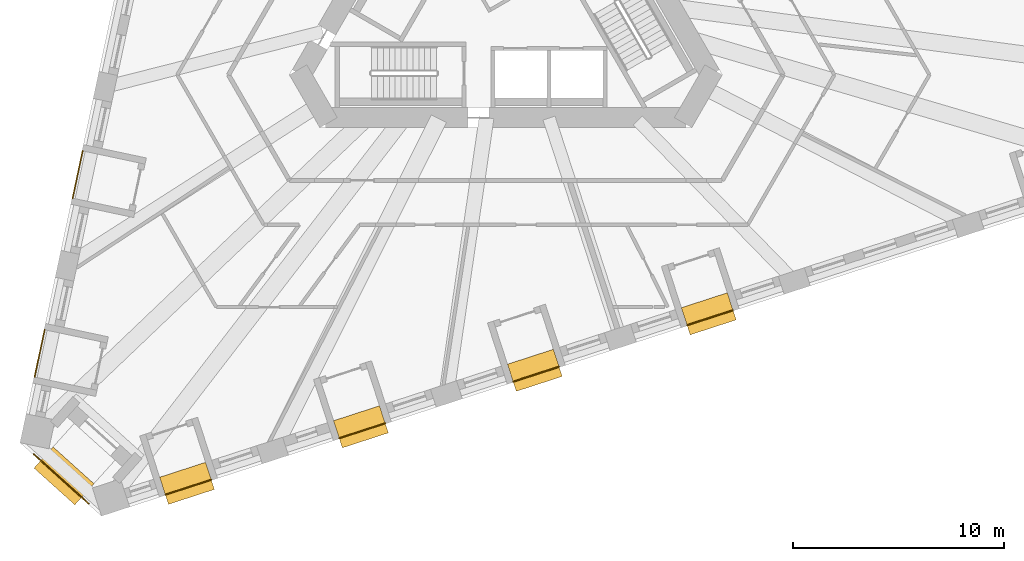
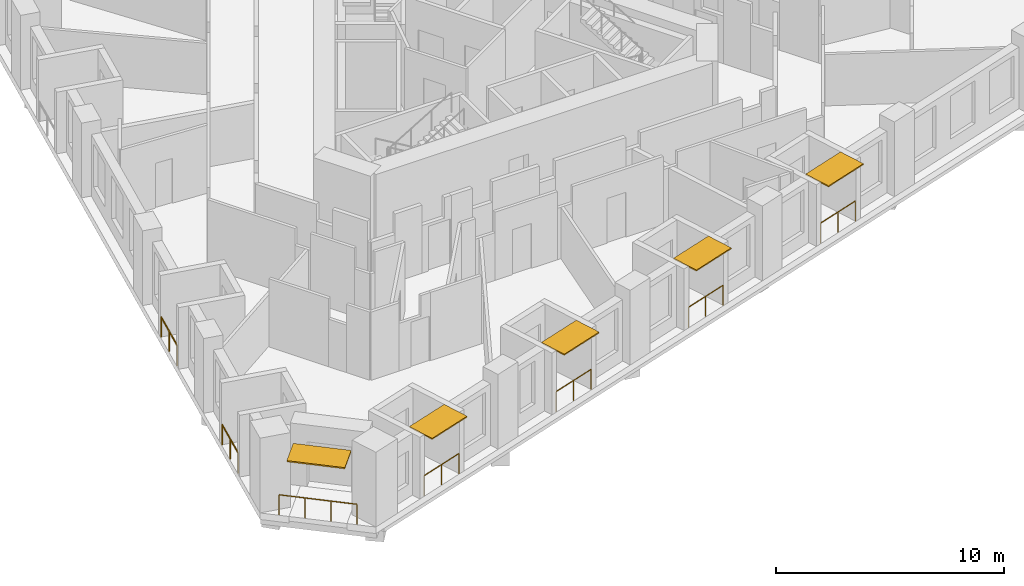
# One storey, part 10 of 12: 7 railings, 5 shading devices.
"""IFC4 building model written with IfcOpenShell, lengths in metres."""

from ifc_helpers import new_model, si_unit, direction, frame, origin, origin_2d, place, context, subcontext, project, spatial, rectangle, circle, extrude, material, layer, layer_set, type_object, element, save


model = new_model("IFC4")

# Units and contexts
model_context = context("Model", 3, precision=1e-05, world=origin(), true_north=direction((0.0, 1.0)))
body_context = subcontext(model_context, "Body", "Model", "MODEL_VIEW")
ifc_project = project(units=[si_unit("LENGTHUNIT", "METRE"), si_unit("AREAUNIT", "SQUARE_METRE"), si_unit("VOLUMEUNIT", "CUBIC_METRE"), si_unit("PLANEANGLEUNIT", "RADIAN"), si_unit("MASSUNIT", "GRAM", prefix="KILO")], contexts=[model_context])

# Site, building, storey
site_placement = place(None, origin())
site = spatial("IfcSite", under=ifc_project, at=site_placement, CompositionType="ELEMENT")
building_placement = place(site_placement, origin())
building = spatial("IfcBuilding", under=site, at=building_placement, Name="Tramontana Tower", CompositionType="ELEMENT")
storey_placement = place(building_placement, frame((0.0, 0.0, 96.39990234375)))
storey = spatial("IfcBuildingStorey", under=building, at=storey_placement, Name="L21", CompositionType="ELEMENT", Elevation=96.39990234375)

# Railings
ifc_material_1 = material(Name="Laminated glass balustrade", Category="glass")
railing_type = type_object("IfcRailingType", Name="GD1 Loggia glass balustrade 1100", PredefinedType="BALUSTRADE", material=ifc_material_1)
railing_1_placement = place(storey_placement, frame((-20.04052734375, -7.85205078125, 0.0)))
element("IfcRailing", 1, at=railing_1_placement, inside=storey, type_object=railing_type, Name="Loggia balustrade L21 G2S0.13", PredefinedType="BALUSTRADE", context=body_context, shape_type="SweptSolid", body=[
    extrude(circle(Radius=0.02392578125, at=origin_2d()), frame((0.0, 0.0, 1.076171875), z_axis=(-0.207888126836, -0.978152609116, 0.0), x_axis=(0.978152609116, -0.207888126836, 0.0)), (0.0, 0.0, 1.0), 2.28662109375),
    extrude(circle(Radius=0.02099609375, at=origin_2d()), origin(), (0.0, 0.0, 1.0), 1.052001953125),
    extrude(circle(Radius=0.02099609375, at=origin_2d()), frame((-0.23779296875, -1.1181640625, 0.0)), (0.0, 0.0, 1.0), 1.052001953125),
    extrude(circle(Radius=0.02099609375, at=origin_2d()), frame((-0.475341796875, -2.236572265625, 0.0)), (0.0, 0.0, 1.0), 1.052001953125),
])
railing_2_placement = place(storey_placement, frame((-21.841064453125, -16.322998046875, 0.0)))
element("IfcRailing", 2, at=railing_2_placement, inside=storey, type_object=railing_type, Name="Loggia balustrade L21 G2S0.16", PredefinedType="BALUSTRADE", context=body_context, shape_type="SweptSolid", body=[
    extrude(circle(Radius=0.02392578125, at=origin_2d()), frame((0.0, 0.0, 1.076171875), z_axis=(-0.207866417042, -0.978157222877, 0.0), x_axis=(0.978157222877, -0.207866417042, 0.0)), (0.0, 0.0, 1.0), 2.286865234375),
    extrude(circle(Radius=0.02099609375, at=origin_2d()), origin(), (0.0, 0.0, 1.0), 1.052001953125),
    extrude(circle(Radius=0.02099609375, at=origin_2d()), frame((-0.23779296875, -1.118408203125, 0.0)), (0.0, 0.0, 1.0), 1.052001953125),
    extrude(circle(Radius=0.02099609375, at=origin_2d()), frame((-0.475341796875, -2.23681640625, 0.0)), (0.0, 0.0, 1.0), 1.052001953125),
])
railing_3_placement = place(storey_placement, frame((-16.125244140625, -24.13427734375, 0.0)))
element("IfcRailing", 3, at=railing_3_placement, inside=storey, type_object=railing_type, Name="Loggia balustrade L21 G2S1.1", PredefinedType="BALUSTRADE", context=body_context, shape_type="SweptSolid", body=[
    extrude(circle(Radius=0.02392578125, at=origin_2d()), frame((0.0, 0.0, 1.076171875), z_axis=(0.95103720697, 0.309076416051, 0.0), x_axis=(-0.309076416051, 0.95103720697, 0.0)), (0.0, 0.0, 1.0), 2.286865234375),
    extrude(circle(Radius=0.02099609375, at=origin_2d()), origin(), (0.0, 0.0, 1.0), 1.052001953125),
    extrude(circle(Radius=0.02099609375, at=origin_2d()), frame((1.08740234375, 0.353515625, 0.0)), (0.0, 0.0, 1.0), 1.052001953125),
    extrude(circle(Radius=0.02099609375, at=origin_2d()), frame((2.1748046875, 0.706787109375, 0.0)), (0.0, 0.0, 1.0), 1.052001953125),
])
railing_4_placement = place(storey_placement, frame((-7.888916015625, -21.4580078125, 0.0)))
element("IfcRailing", 4, at=railing_4_placement, inside=storey, type_object=railing_type, Name="Loggia balustrade L21 G2S1.4", PredefinedType="BALUSTRADE", context=body_context, shape_type="SweptSolid", body=[
    extrude(circle(Radius=0.02392578125, at=origin_2d()), frame((0.0, 0.0, 1.076171875), z_axis=(0.951068585107, 0.308979847923, 0.0), x_axis=(-0.308979847923, 0.951068585107, 0.0)), (0.0, 0.0, 1.0), 2.28662109375),
    extrude(circle(Radius=0.02099609375, at=origin_2d()), origin(), (0.0, 0.0, 1.0), 1.052001953125),
    extrude(circle(Radius=0.02099609375, at=origin_2d()), frame((1.08740234375, 0.353271484375, 0.0)), (0.0, 0.0, 1.0), 1.052001953125),
    extrude(circle(Radius=0.02099609375, at=origin_2d()), frame((2.1748046875, 0.70654296875, 0.0)), (0.0, 0.0, 1.0), 1.052001953125),
])
railing_5_placement = place(storey_placement, frame((0.347412109375, -18.781982421875, 0.0)))
element("IfcRailing", 5, at=railing_5_placement, inside=storey, type_object=railing_type, Name="Loggia balustrade L21 G2S1.7", PredefinedType="BALUSTRADE", context=body_context, shape_type="SweptSolid", body=[
    extrude(circle(Radius=0.02392578125, at=origin_2d()), frame((0.0, 0.0, 1.076171875), z_axis=(0.95103720697, 0.309076416051, 0.0), x_axis=(-0.309076416051, 0.95103720697, 0.0)), (0.0, 0.0, 1.0), 2.286865234375),
    extrude(circle(Radius=0.02099609375, at=origin_2d()), origin(), (0.0, 0.0, 1.0), 1.052001953125),
    extrude(circle(Radius=0.02099609375, at=origin_2d()), frame((1.08740234375, 0.353515625, 0.0)), (0.0, 0.0, 1.0), 1.052001953125),
    extrude(circle(Radius=0.02099609375, at=origin_2d()), frame((2.1748046875, 0.706787109375, 0.0)), (0.0, 0.0, 1.0), 1.052001953125),
])
railing_6_placement = place(storey_placement, frame((8.583740234375, -16.105712890625, 0.0)))
element("IfcRailing", 6, at=railing_6_placement, inside=storey, type_object=railing_type, Name="Loggia balustrade L21 G2S1.10", PredefinedType="BALUSTRADE", context=body_context, shape_type="SweptSolid", body=[
    extrude(circle(Radius=0.02392578125, at=origin_2d()), frame((0.0, 0.0, 1.076171875), z_axis=(0.951068585107, 0.308979847923, 0.0), x_axis=(-0.308979847923, 0.951068585107, 0.0)), (0.0, 0.0, 1.0), 2.28662109375),
    extrude(circle(Radius=0.02099609375, at=origin_2d()), origin(), (0.0, 0.0, 1.0), 1.052001953125),
    extrude(circle(Radius=0.02099609375, at=origin_2d()), frame((1.08740234375, 0.353271484375, 0.0)), (0.0, 0.0, 1.0), 1.052001953125),
    extrude(circle(Radius=0.02099609375, at=origin_2d()), frame((2.1748046875, 0.70654296875, 0.0)), (0.0, 0.0, 1.0), 1.052001953125),
])
railing_7_placement = place(storey_placement, frame((-19.757080078125, -24.557861328125, 0.0)))
element("IfcRailing", 7, at=railing_7_placement, inside=storey, type_object=railing_type, Name="Corner loggia balustrade L21 K21", PredefinedType="BALUSTRADE", context=body_context, shape_type="SweptSolid", body=[
    extrude(circle(Radius=0.02392578125, at=origin_2d()), frame((0.0, 0.0, 1.076171875), z_axis=(-0.743141519559, 0.669134277936, 0.0), x_axis=(-0.669134277936, -0.743141519559, 0.0)), (0.0, 0.0, 1.0), 3.5),
    extrude(circle(Radius=0.02099609375, at=origin_2d()), origin(), (0.0, 0.0, 1.0), 1.052001953125),
    extrude(circle(Radius=0.02099609375, at=origin_2d()), frame((-0.866943359375, 0.78076171875, 0.0)), (0.0, 0.0, 1.0), 1.052001953125),
    extrude(circle(Radius=0.02099609375, at=origin_2d()), frame((-1.734130859375, 1.561279296875, 0.0)), (0.0, 0.0, 1.0), 1.052001953125),
    extrude(circle(Radius=0.02099609375, at=origin_2d()), frame((-2.60107421875, 2.342041015625, 0.0)), (0.0, 0.0, 1.0), 1.052001953125),
])

# Shading devices
ifc_material_2 = material(Name="Precast concrete 60 MPa", Category="concrete")
ifc_layer_1 = layer(ifc_material_2, 0.06005859375)
ifc_layer_set_1 = layer_set([ifc_layer_1], Name="SS1 Stone sunshade blade 60")
shading_device_type_1 = type_object("IfcShadingDeviceType", Name="SS1 Stone sunshade blade 60", PredefinedType="USERDEFINED", material=ifc_layer_set_1)
for number, where, z_axis, x_axis, name in (
    (8, (-15.09814453125, -23.595458984375, 3.239990234375), (0.0, 0.0, 1.0), (0.951056516295, 0.309016994375, 0.0), "Sunshade L21 G2S1.1"),
    (9, (-6.86181640625, -20.919189453125, 3.239990234375), (0.0, 0.0, 1.0), (0.951056516295, 0.309016994375, 0.0), "Sunshade L21 G2S1.4"),
    (10, (1.37451171875, -18.2431640625, 3.239990234375), (0.0, 0.0, 1.0), (0.951056516295, 0.309016994375, 0.0), "Sunshade L21 G2S1.7"),
    (11, (9.611083984375, -15.56689453125, 3.239990234375), (0.0, 0.0, 1.0), (0.951056516295, 0.309016994375, 0.0), "Sunshade L21 G2S1.10"),
):
    element("IfcShadingDevice", number, at=place(storey_placement, frame(where, z_axis=z_axis, x_axis=x_axis)), inside=storey, type_object=shading_device_type_1, Name=name, ObjectType="SUNSHADE", PredefinedType="USERDEFINED", context=body_context, shape_type="SweptSolid", body=[
        extrude(rectangle(XDim=2.286865234375, YDim=1.35009765625, at=origin_2d()), origin(), (0.0, 0.0, 1.0), 0.06005859375),
    ])
ifc_material_3 = material(Name="Precast concrete 60 MPa", Category="concrete")
ifc_layer_2 = layer(ifc_material_3, 0.070068359375)
ifc_layer_set_2 = layer_set([ifc_layer_2], Name="SS2 Stone sunshade blade 70")
shading_device_type_2 = type_object("IfcShadingDeviceType", Name="SS2 Stone sunshade blade 70", PredefinedType="USERDEFINED", material=ifc_layer_set_2)
shading_device_placement = place(storey_placement, frame((-20.927001953125, -23.241943359375, 3.22998046875), z_axis=(0.0, 0.0, 1.0), x_axis=(-0.743144825477, 0.669130606359, 0.0)))
element("IfcShadingDevice", 12, at=shading_device_placement, inside=storey, type_object=shading_device_type_2, Name="Corner sunshade L21 K21", ObjectType="SUNSHADE", PredefinedType="USERDEFINED", context=body_context, shape_type="SweptSolid", body=[
    extrude(rectangle(XDim=2.60009765625, YDim=1.35009765625, at=origin_2d()), origin(), (0.0, 0.0, 1.0), 0.070068359375),
])

save(model, "model.ifc")
